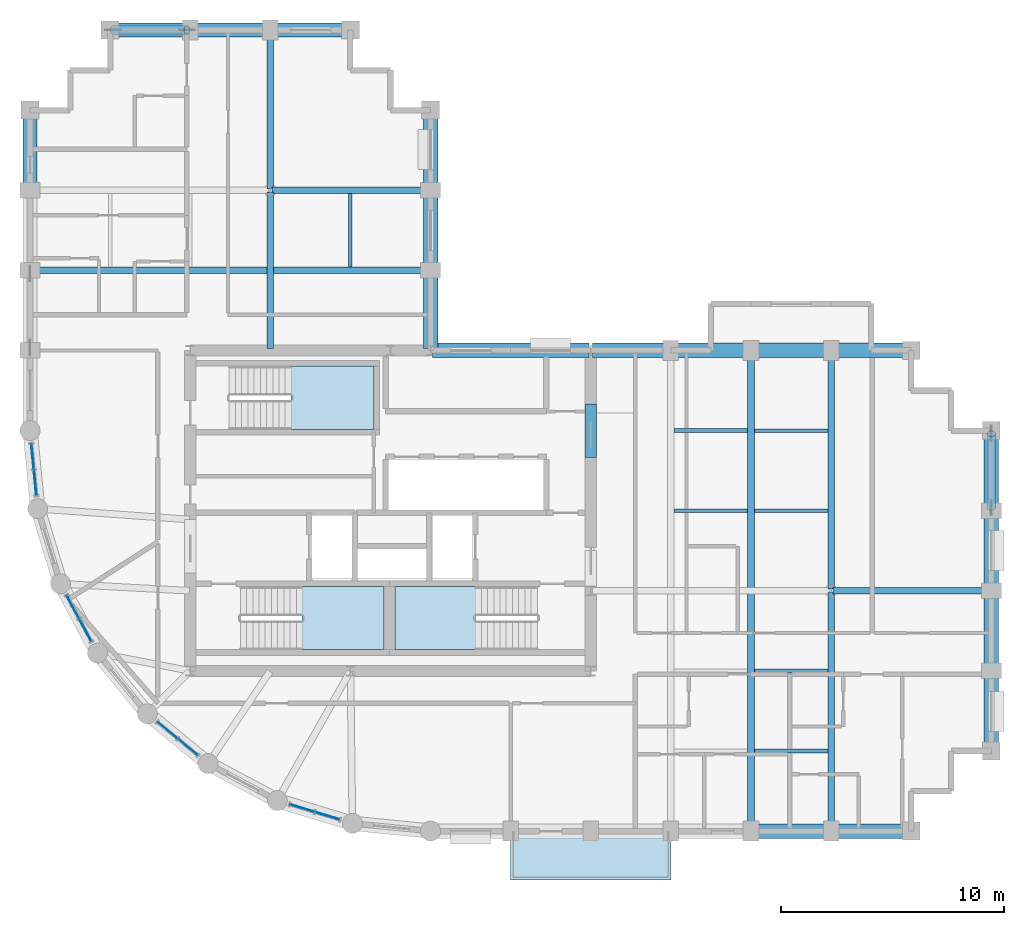
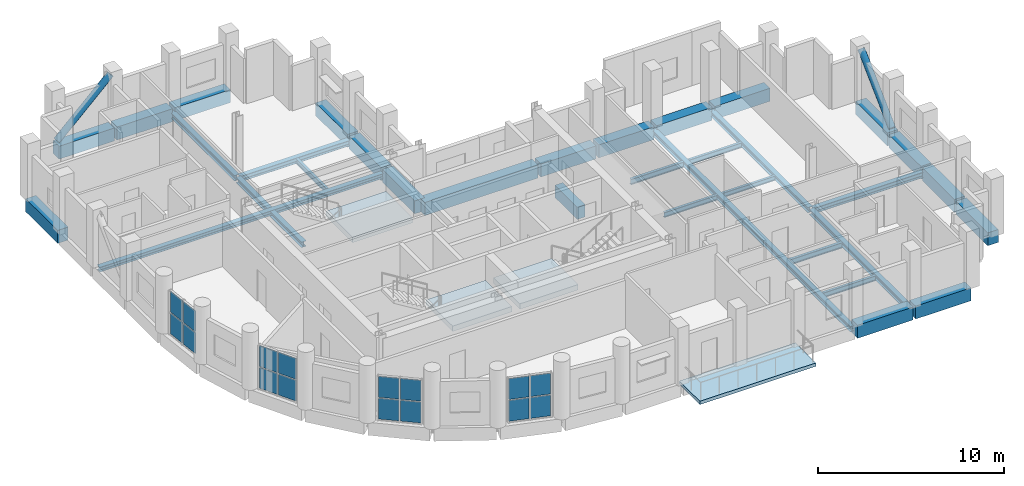
# One storey, part 5 of 12: 34 beams, 16 plates, 4 slabs, 2 members, 7 elements without a shape of their own.
"""IFC4 building model written with IfcOpenShell, lengths in metres."""

import ifcopenshell
import ifcopenshell.guid

model = None  # the IFC model being written
_history = None  # IfcOwnerHistory: only IFC2X3 demands one
_inside = {}  # id of a spatial element -> (the spatial element, [elements in it])
_under = {}  # id of a project, library or spatial element -> (it, [spatial elements below it])
_declared = {}  # id of a project -> (the project, [libraries it declares])
_typed = {}  # id of a type object -> (the type object, [elements of that type])
_made_of = {}  # id of a material, layer set ... -> (it, [elements and type objects made of it])


def new_model(schema):
    """Start an empty IFC model of exactly this schema.

    Asked for "IFC4X3", IfcOpenShell would pick the latest addendum, in which some entities
    have other attributes; the version numbers below select the first issue.
    IFC2X3 requires an IfcOwnerHistory on every rooted entity: one is made here for all.
    """
    global model, _history
    if schema == "IFC4X3":
        model = ifcopenshell.file(schema_version=(4, 3, 0, 0))
    else:
        model = ifcopenshell.file(schema=schema)
    _inside.clear()
    _under.clear()
    _declared.clear()
    _typed.clear()
    _made_of.clear()
    _history = None
    if model.schema == "IFC2X3":
        org = make("IfcOrganization", Name="unknown")
        user = make(
            "IfcPersonAndOrganization",
            ThePerson=make("IfcPerson", FamilyName="unknown"),
            TheOrganization=org,
        )
        app = make(
            "IfcApplication",
            ApplicationDeveloper=org,
            Version="unknown",
            ApplicationFullName="unknown",
            ApplicationIdentifier="unknown",
        )
        _history = make(
            "IfcOwnerHistory",
            OwningUser=user,
            OwningApplication=app,
            ChangeAction="ADDED",
            CreationDate=0,
        )
    return model


def make(cls, **values):
    """One entity of the class cls with the attributes given. An attribute that is None is left unset."""
    return model.create_entity(
        cls, **{name: value for name, value in values.items() if value is not None}
    )


def rooted(cls, **values):
    """An entity with a GlobalId (a new one), such as an element, a storey or a relation."""
    return make(cls, GlobalId=ifcopenshell.guid.new(), OwnerHistory=_history, **values)


def si_unit(unit_type, name, prefix=None):
    """IfcSIUnit, for example si_unit("LENGTHUNIT", "METRE", prefix="MILLI")."""
    return make("IfcSIUnit", UnitType=unit_type, Prefix=prefix, Name=name)


def assignment(units):
    """IfcUnitAssignment: the units of a project."""
    return None if units is None else make("IfcUnitAssignment", Units=units)


def point(xyz):
    """IfcCartesianPoint."""
    return None if xyz is None else make("IfcCartesianPoint", Coordinates=xyz)


def direction(xyz):
    """IfcDirection."""
    return None if xyz is None else make("IfcDirection", DirectionRatios=xyz)


def frame(location, z_axis=None, x_axis=None):
    """IfcAxis2Placement3D, a coordinate frame: its origin and axes. An axis left out is left unset."""
    return make(
        "IfcAxis2Placement3D",
        Location=point(location),
        Axis=direction(z_axis),
        RefDirection=direction(x_axis),
    )


def frame_2d(location, x_axis=None):
    """IfcAxis2Placement2D, a coordinate frame in the plane: its origin and x axis."""
    return make(
        "IfcAxis2Placement2D", Location=point(location), RefDirection=direction(x_axis)
    )


def origin():
    """The frame at (0, 0, 0) with its axes left unset."""
    return frame((0.0, 0.0, 0.0))


def origin_2d():
    """The frame at (0, 0) in the plane with its x axis left unset."""
    return frame_2d((0.0, 0.0))


def place(relative_to, where):
    """IfcLocalPlacement: puts the frame where relative to a parent placement (None: the world)."""
    return make(
        "IfcLocalPlacement", PlacementRelTo=relative_to, RelativePlacement=where
    )


def context(
    kind, dimensions, precision=None, world=None, true_north=None, identifier=None
):
    """IfcGeometricRepresentationContext, for example the 3D "Model" context."""
    return make(
        "IfcGeometricRepresentationContext",
        ContextIdentifier=identifier,
        ContextType=kind,
        CoordinateSpaceDimension=dimensions,
        Precision=precision,
        WorldCoordinateSystem=world,
        TrueNorth=true_north,
    )


def subcontext(parent, identifier, kind, view, scale=None):
    """IfcGeometricRepresentationSubContext, for example "Body" below "Model"."""
    return make(
        "IfcGeometricRepresentationSubContext",
        ContextIdentifier=identifier,
        ContextType=kind,
        ParentContext=parent,
        TargetScale=scale,
        TargetView=view,
    )


def project(units=None, contexts=None):
    """IfcProject with its units and contexts."""
    return rooted(
        "IfcProject",
        Name="project",
        RepresentationContexts=contexts,
        UnitsInContext=assignment(units),
    )


def spatial(cls, under=None, at=None, **own):
    """A site, building, storey or space (cls), placed at a placement, below another one or the project."""
    s = rooted(cls, ObjectPlacement=at, **own)
    if under is not None:
        _under.setdefault(under.id(), (under, []))[1].append(s)
    return s


def polyline(points):
    """IfcPolyline through the points."""
    return make("IfcPolyline", Points=[point(p) for p in points])


def profile(cls, at=None, kind="AREA", **sizes):
    """A parametric profile (cls). Its sizes go by their IFC names, for example OverallWidth=200.0."""
    return make(cls, ProfileType=kind, Position=at, **sizes)


def rectangle(**sizes):
    """IfcRectangleProfileDef."""
    return profile("IfcRectangleProfileDef", **sizes)


def hollow_circle(**sizes):
    """IfcCircleHollowProfileDef."""
    return profile("IfcCircleHollowProfileDef", **sizes)


def i_section(**sizes):
    """IfcIShapeProfileDef."""
    return profile("IfcIShapeProfileDef", **sizes)


def outline(outer, holes=None, kind="AREA"):
    """IfcArbitraryClosedProfileDef: a profile drawn as a closed curve; with holes, ...WithVoids."""
    if holes is None:
        return make("IfcArbitraryClosedProfileDef", ProfileType=kind, OuterCurve=outer)
    return make(
        "IfcArbitraryProfileDefWithVoids",
        ProfileType=kind,
        OuterCurve=outer,
        InnerCurves=holes,
    )


def extrude(swept, where, along, depth):
    """IfcExtrudedAreaSolid: the profile swept, set in the frame where, extruded along a direction by depth."""
    return make(
        "IfcExtrudedAreaSolid",
        SweptArea=swept,
        Position=where,
        ExtrudedDirection=direction(along),
        Depth=depth,
    )


def shape(context_of_items, identifier, shape_type, items):
    """IfcShapeRepresentation: the items that make up one representation, for example the "Body"."""
    return make(
        "IfcShapeRepresentation",
        ContextOfItems=context_of_items,
        RepresentationIdentifier=identifier,
        RepresentationType=shape_type,
        Items=items,
    )


def material(Name=None, Category=None):
    """IfcMaterial."""
    return make("IfcMaterial", Name=Name, Category=Category)


def layer(
    of_material, thickness, ventilated=None, Name=None, Category=None, Priority=None
):
    """IfcMaterialLayer: one layer of a wall or slab, of a material (None: an air gap)."""
    return make(
        "IfcMaterialLayer",
        Material=of_material,
        LayerThickness=thickness,
        IsVentilated=ventilated,
        Name=Name,
        Category=Category,
        Priority=Priority,
    )


def layer_set(layers, Name=None):
    """IfcMaterialLayerSet."""
    return make("IfcMaterialLayerSet", MaterialLayers=layers, LayerSetName=Name)


def material_profile(
    of_material, cross_section, Name=None, Category=None, Priority=None
):
    """IfcMaterialProfile: a cross section and its material."""
    return make(
        "IfcMaterialProfile",
        Name=Name,
        Material=of_material,
        Profile=cross_section,
        Priority=Priority,
        Category=Category,
    )


def profile_set(profiles, Name=None, composite=None):
    """IfcMaterialProfileSet."""
    return make(
        "IfcMaterialProfileSet",
        Name=Name,
        MaterialProfiles=profiles,
        CompositeProfile=composite,
    )


def made_of(thing, what):
    """Note that an element or type object is made of a material, layer set ...; save() writes the relation."""
    if what is not None:
        _made_of.setdefault(what.id(), (what, []))[1].append(thing)
    return thing


def type_object(cls, material=None, **own):
    """A type object (cls), such as IfcWallType, which elements share."""
    return made_of(rooted(cls, **own), material)


def element(
    cls,
    number,
    at=None,
    inside=None,
    cuts=None,
    type_object=None,
    material=None,
    context=None,
    identifier="Body",
    shape_type=None,
    held_by="IfcProductDefinitionShape",
    body=None,
    shapes=None,
    **own,
):
    """One element of the class cls, such as IfcWall. Its Tag is "e" and its number.

    at: its placement. inside: the storey or other place that contains it. cuts: it is an
    opening in that element (IfcRelVoidsElement). A single representation is given by context,
    identifier, shape_type and body (its items); several are given by shapes. held_by: the class
    of the entity that holds the representations. save() writes the other relations.
    """
    e = rooted(cls, Tag="e%d" % number, ObjectPlacement=at, **own)
    if body is not None:
        shapes = [shape(context, identifier, shape_type, body)]
    if shapes is not None:
        e.Representation = make(held_by, Representations=shapes)
    if inside is not None:
        _inside.setdefault(inside.id(), (inside, []))[1].append(e)
    if cuts is not None:
        rooted(
            "IfcRelVoidsElement", RelatingBuildingElement=cuts, RelatedOpeningElement=e
        )
    if type_object is not None:
        _typed.setdefault(type_object.id(), (type_object, []))[1].append(e)
    return made_of(e, material)


def aggregate(whole, parts):
    """IfcRelAggregates: a whole, such as a stair, and the parts it consists of."""
    return rooted("IfcRelAggregates", RelatingObject=whole, RelatedObjects=parts)


def save(model, path):
    """Write the relations noted so far, then the file.

    IfcRelAggregates (storeys below a building ...), IfcRelContainedInSpatialStructure (elements
    in a storey), IfcRelDefinesByType, IfcRelAssociatesMaterial and IfcRelDeclares: one each for
    every whole, place, type object, material and project.
    """
    for whole, parts in _under.values():
        aggregate(whole, parts)
    for where, things in _inside.values():
        rooted(
            "IfcRelContainedInSpatialStructure",
            RelatedElements=things,
            RelatingStructure=where,
        )
    for kind, things in _typed.values():
        rooted("IfcRelDefinesByType", RelatedObjects=things, RelatingType=kind)
    for what, things in _made_of.values():
        rooted("IfcRelAssociatesMaterial", RelatedObjects=things, RelatingMaterial=what)
    for by, libraries in _declared.values():
        rooted("IfcRelDeclares", RelatingContext=by, RelatedDefinitions=libraries)
    model.write(path)


model = new_model("IFC4")

# Units and contexts
model_context = context("Model", 3, precision=1e-05, world=origin(), true_north=direction((0.0, 1.0)))
body_context = subcontext(model_context, "Body", "Model", "MODEL_VIEW")
ifc_project = project(units=[si_unit("LENGTHUNIT", "METRE"), si_unit("AREAUNIT", "SQUARE_METRE"), si_unit("VOLUMEUNIT", "CUBIC_METRE"), si_unit("PLANEANGLEUNIT", "RADIAN"), si_unit("MASSUNIT", "GRAM", prefix="KILO")], contexts=[model_context])

# Site, building, storey
site_placement = place(None, origin())
site = spatial("IfcSite", under=ifc_project, at=site_placement, CompositionType="ELEMENT")
building_placement = place(site_placement, origin())
building = spatial("IfcBuilding", under=site, at=building_placement, Name="Solnavia Interchange Tower", CompositionType="ELEMENT")
storey_placement = place(building_placement, frame((0.0, 0.0, 182.39990234375)))
storey = spatial("IfcBuildingStorey", under=building, at=storey_placement, Name="L45", CompositionType="ELEMENT", Elevation=182.39990234375)

# Beams
ifc_material_1 = material(Name="Concrete C50/60", Category="concrete")
ifc_material_profile_1 = material_profile(ifc_material_1, rectangle(XDim=0.5, YDim=0.800048828125, at=origin_2d()), Name="RC 500x800")
ifc_profile_set_1 = profile_set([ifc_material_profile_1], Name="Concrete C50/60")
beam_type_1 = type_object("IfcBeamType", Name="Beam-Coupling-RC500x800", PredefinedType="LINTEL", material=ifc_profile_set_1)
beam_1_placement = place(storey_placement, frame((32.39990234375, 20.39990234375, -0.39990234375), z_axis=(0.0, 1.0, 0.0), x_axis=(-1.0, 0.0, 0.0)))
element("IfcBeam", 1, at=beam_1_placement, inside=storey, type_object=beam_type_1, Name="CPB-L45-E2 Core coupling lintel beam", PredefinedType="LINTEL", context=body_context, shape_type="SweptSolid", body=[
    extrude(rectangle(XDim=0.5, YDim=0.800048828125, at=origin_2d()), origin(), (0.0, 0.0, 1.0), 2.400146484375),
])
ifc_material_2 = material(Name="Steel S460", Category="steel")
ifc_material_profile_2 = material_profile(ifc_material_2, i_section(OverallWidth=0.300048828125, OverallDepth=0.360107421875, WebThickness=0.012451171875, FlangeThickness=0.0224609375, FilletRadius=0.027099609375, at=origin_2d()), Name="HEB 360")
ifc_profile_set_2 = profile_set([ifc_material_profile_2], Name="Steel S460")
beam_type_2 = type_object("IfcBeamType", Name="Beam-Girder-HEB360", PredefinedType="BEAM", material=ifc_profile_set_2)
beam_2_placement = place(storey_placement, frame((43.280029296875, 14.39990234375, -0.429931640625), z_axis=(1.0, 0.0, 0.0), x_axis=(0.0, 1.0, 0.0)))
element("IfcBeam", 2, at=beam_2_placement, inside=storey, type_object=beam_type_2, Name="GRD-L45-ES02 East wing spine girder", PredefinedType="BEAM", context=body_context, shape_type="SweptSolid", body=[
    extrude(i_section(OverallWidth=0.300048828125, OverallDepth=0.360107421875, WebThickness=0.012451171875, FlangeThickness=0.0224609375, FilletRadius=0.027099609375, at=origin_2d()), origin(), (0.0, 0.0, 1.0), 7.0400390625),
])
beam_3_placement = place(storey_placement, frame((39.60009765625, 3.679931640625, -0.429931640625), z_axis=(0.0, 1.0, 0.0), x_axis=(-1.0, 0.0, 0.0)))
element("IfcBeam", 3, at=beam_3_placement, inside=storey, type_object=beam_type_2, Name="GRD-L45-EW04 East wing primary floor girder", PredefinedType="BEAM", context=body_context, shape_type="SweptSolid", body=[
    extrude(i_section(OverallWidth=0.300048828125, OverallDepth=0.360107421875, WebThickness=0.012451171875, FlangeThickness=0.0224609375, FilletRadius=0.027099609375, at=origin_2d()), origin(), (0.0, 0.0, 1.0), 21.440185546875),
])
for number, where, z_axis, x_axis, name in (
    (4, (18.0, 25.280029296875, -0.429931640625), (0.0, 1.0, 0.0), (-1.0, 0.0, 0.0), "GRD-L45-NS07 North wing spine girder"),
    (5, (18.0, 32.47998046875, -0.429931640625), (0.0, 1.0, 0.0), (-1.0, 0.0, 0.0), "GRD-L45-NS08 North wing spine girder"),
    (6, (18.080078125, 32.39990234375, -0.429931640625), (1.0, 0.0, 0.0), (0.0, 1.0, 0.0), "GRD-L45-NW11 North wing primary floor girder"),
):
    element("IfcBeam", number, at=place(storey_placement, frame(where, z_axis=z_axis, x_axis=x_axis)), inside=storey, type_object=beam_type_2, Name=name, PredefinedType="BEAM", context=body_context, shape_type="SweptSolid", body=[
        extrude(i_section(OverallWidth=0.300048828125, OverallDepth=0.360107421875, WebThickness=0.012451171875, FlangeThickness=0.0224609375, FilletRadius=0.027099609375, at=origin_2d()), origin(), (0.0, 0.0, 1.0), 7.0400390625),
    ])
ifc_material_3 = material(Name="Steel S355", Category="steel")
ifc_material_profile_3 = material_profile(ifc_material_3, i_section(OverallWidth=0.14990234375, OverallDepth=0.300048828125, WebThickness=0.007080078125, FlangeThickness=0.0107421875, FilletRadius=0.014892578125, at=origin_2d()), Name="IPE 300")
ifc_profile_set_3 = profile_set([ifc_material_profile_3], Name="Steel S355")
beam_type_3 = type_object("IfcBeamType", Name="Beam-Joist-IPE300", PredefinedType="JOIST", material=ifc_profile_set_3)
beam_4_placement = place(storey_placement, frame((39.75, 18.0, -0.39990234375), z_axis=(1.0, 0.0, 0.0), x_axis=(0.0, 1.0, 0.0)))
element("IfcBeam", 7, at=beam_4_placement, inside=storey, type_object=beam_type_3, Name="JST-L45-E06 East wing secondary joist", PredefinedType="JOIST", context=body_context, shape_type="SweptSolid", body=[
    extrude(i_section(OverallWidth=0.14990234375, OverallDepth=0.300048828125, WebThickness=0.007080078125, FlangeThickness=0.0107421875, FilletRadius=0.014892578125, at=origin_2d()), origin(), (0.0, 0.0, 1.0), 3.300048828125),
])
ifc_material_profile_4 = material_profile(ifc_material_3, i_section(OverallWidth=0.159912109375, OverallDepth=0.330078125, WebThickness=0.007568359375, FlangeThickness=0.011474609375, FilletRadius=0.01806640625, at=origin_2d()), Name="IPE 330")
ifc_profile_set_4 = profile_set([ifc_material_profile_4], Name="Steel S355")
beam_type_4 = type_object("IfcBeamType", Name="Beam-Joist-IPE330", PredefinedType="JOIST", material=ifc_profile_set_4)
for number, where, z_axis, x_axis, name in (
    (8, (39.75, 7.199951171875, -0.414794921875), (1.0, 0.0, 0.0), (0.0, 1.0, 0.0), "JST-L45-E02 East wing secondary joist"),
    (9, (36.14990234375, 18.0, -0.414794921875), (1.0, 0.0, 0.0), (0.0, 1.0, 0.0), "JST-L45-E05 East wing secondary joist"),
    (10, (39.75, 21.60009765625, -0.414794921875), (1.0, 0.0, 0.0), (0.0, 1.0, 0.0), "JST-L45-E08 East wing secondary joist"),
    (11, (21.60009765625, 28.949951171875, -0.414794921875), (0.0, 1.0, 0.0), (-1.0, 0.0, 0.0), "JST-L45-N11 North wing secondary joist"),
):
    element("IfcBeam", number, at=place(storey_placement, frame(where, z_axis=z_axis, x_axis=x_axis)), inside=storey, type_object=beam_type_4, Name=name, PredefinedType="JOIST", context=body_context, shape_type="SweptSolid", body=[
        extrude(i_section(OverallWidth=0.159912109375, OverallDepth=0.330078125, WebThickness=0.007568359375, FlangeThickness=0.011474609375, FilletRadius=0.01806640625, at=origin_2d()), origin(), (0.0, 0.0, 1.0), 3.300048828125),
    ])
ifc_material_profile_5 = material_profile(ifc_material_3, i_section(OverallWidth=0.169921875, OverallDepth=0.360107421875, WebThickness=0.008056640625, FlangeThickness=0.0126953125, FilletRadius=0.01806640625, at=origin_2d()), Name="IPE 360")
ifc_profile_set_5 = profile_set([ifc_material_profile_5], Name="Steel S355")
beam_type_5 = type_object("IfcBeamType", Name="Beam-Joist-IPE360", PredefinedType="JOIST", material=ifc_profile_set_5)
for number, where, z_axis, x_axis, name in (
    (12, (39.75, 10.800048828125, -0.429931640625), (1.0, 0.0, 0.0), (0.0, 1.0, 0.0), "JST-L45-E04 East wing secondary joist"),
    (13, (36.14990234375, 21.60009765625, -0.429931640625), (1.0, 0.0, 0.0), (0.0, 1.0, 0.0), "JST-L45-E07 East wing secondary joist"),
):
    element("IfcBeam", number, at=place(storey_placement, frame(where, z_axis=z_axis, x_axis=x_axis)), inside=storey, type_object=beam_type_5, Name=name, PredefinedType="JOIST", context=body_context, shape_type="SweptSolid", body=[
        extrude(i_section(OverallWidth=0.169921875, OverallDepth=0.360107421875, WebThickness=0.008056640625, FlangeThickness=0.0126953125, FilletRadius=0.01806640625, at=origin_2d()), origin(), (0.0, 0.0, 1.0), 3.300048828125),
    ])
ifc_material_profile_6 = material_profile(ifc_material_3, i_section(OverallWidth=0.300048828125, OverallDepth=0.31005859375, WebThickness=0.009033203125, FlangeThickness=0.015380859375, FilletRadius=0.027099609375, at=origin_2d()), Name="HEA 320")
ifc_profile_set_6 = profile_set([ifc_material_profile_6], Name="Steel S355")
beam_type_6 = type_object("IfcBeamType", Name="Beam-Primary-HEA320", PredefinedType="BEAM", material=ifc_profile_set_6)
beam_5_placement = place(storey_placement, frame((7.280029296875, 28.800048828125, -0.40478515625), z_axis=(1.0, 0.0, 0.0), x_axis=(0.0, 1.0, 0.0)))
element("IfcBeam", 14, at=beam_5_placement, inside=storey, type_object=beam_type_6, Name="GRD-L45-NW09 North wing primary floor girder", PredefinedType="BEAM", context=body_context, shape_type="SweptSolid", body=[
    extrude(i_section(OverallWidth=0.300048828125, OverallDepth=0.31005859375, WebThickness=0.009033203125, FlangeThickness=0.015380859375, FilletRadius=0.027099609375, at=origin_2d()), origin(), (0.0, 0.0, 1.0), 17.840087890625),
])
ifc_material_profile_7 = material_profile(ifc_material_3, i_section(OverallWidth=0.300048828125, OverallDepth=0.35009765625, WebThickness=0.010009765625, FlangeThickness=0.017578125, FilletRadius=0.027099609375, at=origin_2d()), Name="HEA 360")
ifc_profile_set_7 = profile_set([ifc_material_profile_7], Name="Steel S355")
beam_type_7 = type_object("IfcBeamType", Name="Beam-Primary-HEA360", PredefinedType="BEAM", material=ifc_profile_set_7)
for number, where, z_axis, x_axis, name in (
    (15, (43.199951171875, 3.679931640625, -0.4248046875), (0.0, 1.0, 0.0), (-1.0, 0.0, 0.0), "GRD-L45-EW05 East wing primary floor girder"),
    (16, (43.199951171875, 14.47998046875, -0.4248046875), (0.0, 1.0, 0.0), (-1.0, 0.0, 0.0), "GRD-L45-EW06 East wing primary floor girder"),
):
    element("IfcBeam", number, at=place(storey_placement, frame(where, z_axis=z_axis, x_axis=x_axis)), inside=storey, type_object=beam_type_7, Name=name, PredefinedType="BEAM", context=body_context, shape_type="SweptSolid", body=[
        extrude(i_section(OverallWidth=0.300048828125, OverallDepth=0.35009765625, WebThickness=0.010009765625, FlangeThickness=0.017578125, FilletRadius=0.027099609375, at=origin_2d()), origin(), (0.0, 0.0, 1.0), 10.64013671875),
    ])
ifc_material_profile_8 = material_profile(ifc_material_1, rectangle(XDim=0.64990234375, YDim=0.85009765625, at=origin_2d()), Name="RC 650x850")
ifc_profile_set_8 = profile_set([ifc_material_profile_8], Name="Concrete C50/60")
beam_type_8 = type_object("IfcBeamType", Name="Beam-Spandrel-RC650x850", PredefinedType="SPANDREL", material=ifc_profile_set_8)
beam_6_placement = place(storey_placement, frame((39.679931640625, 3.60009765625, -0.4248046875), z_axis=(1.0, 0.0, 0.0), x_axis=(0.0, 1.0, 0.0)))
element("IfcBeam", 17, at=beam_6_placement, inside=storey, type_object=beam_type_8, Name="SPB-L45-13 Framed-tube perimeter spandrel beam", PredefinedType="SPANDREL", context=body_context, shape_type="SweptSolid", body=[
    extrude(rectangle(XDim=0.64990234375, YDim=0.85009765625, at=origin_2d()), origin(), (0.0, 0.0, 1.0), 3.440185546875),
])
for number, where, z_axis, x_axis, name in (
    (18, (43.280029296875, 3.60009765625, -0.4248046875), (1.0, 0.0, 0.0), (0.0, 1.0, 0.0), "SPB-L45-14 Framed-tube perimeter spandrel beam"),
    (19, (50.39990234375, 7.280029296875, -0.4248046875), (0.0, 1.0, 0.0), (-1.0, 0.0, 0.0), "SPB-L45-15 Framed-tube perimeter spandrel beam"),
):
    element("IfcBeam", number, at=place(storey_placement, frame(where, z_axis=z_axis, x_axis=x_axis)), inside=storey, type_object=beam_type_8, Name=name, PredefinedType="SPANDREL", context=body_context, shape_type="SweptSolid", body=[
        extrude(rectangle(XDim=0.64990234375, YDim=0.85009765625, at=origin_2d()), origin(), (0.0, 0.0, 1.0), 3.43994140625),
    ])
beam_7_placement = place(storey_placement, frame((50.39990234375, 10.8798828125, -0.4248046875), z_axis=(0.0, 1.0, 0.0), x_axis=(-1.0, 0.0, 0.0)))
element("IfcBeam", 20, at=beam_7_placement, inside=storey, type_object=beam_type_8, Name="SPB-L45-16 Framed-tube perimeter spandrel beam", PredefinedType="SPANDREL", context=body_context, shape_type="SweptSolid", body=[
    extrude(rectangle(XDim=0.64990234375, YDim=0.85009765625, at=origin_2d()), origin(), (0.0, 0.0, 1.0), 3.440185546875),
])
for number, where, z_axis, x_axis, name in (
    (21, (50.39990234375, 14.47998046875, -0.4248046875), (0.0, 1.0, 0.0), (-1.0, 0.0, 0.0), "SPB-L45-17 Framed-tube perimeter spandrel beam"),
    (22, (50.39990234375, 18.080078125, -0.4248046875), (0.0, 1.0, 0.0), (-1.0, 0.0, 0.0), "SPB-L45-18 Framed-tube perimeter spandrel beam"),
    (23, (46.719970703125, 25.199951171875, -0.4248046875), (-1.0, 0.0, 0.0), (0.0, -1.0, 0.0), "SPB-L45-19 Framed-tube perimeter spandrel beam"),
):
    element("IfcBeam", number, at=place(storey_placement, frame(where, z_axis=z_axis, x_axis=x_axis)), inside=storey, type_object=beam_type_8, Name=name, PredefinedType="SPANDREL", context=body_context, shape_type="SweptSolid", body=[
        extrude(rectangle(XDim=0.64990234375, YDim=0.85009765625, at=origin_2d()), origin(), (0.0, 0.0, 1.0), 3.43994140625),
    ])
beam_8_placement = place(storey_placement, frame((43.1201171875, 25.199951171875, -0.4248046875), z_axis=(-1.0, 0.0, 0.0), x_axis=(0.0, -1.0, 0.0)))
element("IfcBeam", 24, at=beam_8_placement, inside=storey, type_object=beam_type_8, Name="SPB-L45-20 Framed-tube perimeter spandrel beam", PredefinedType="SPANDREL", context=body_context, shape_type="SweptSolid", body=[
    extrude(rectangle(XDim=0.64990234375, YDim=0.85009765625, at=origin_2d()), origin(), (0.0, 0.0, 1.0), 3.440185546875),
])
for number, where, z_axis, x_axis, name in (
    (25, (39.52001953125, 25.199951171875, -0.4248046875), (-1.0, 0.0, 0.0), (0.0, -1.0, 0.0), "SPB-L45-21 Framed-tube perimeter spandrel beam"),
    (26, (35.919921875, 25.199951171875, -0.4248046875), (-1.0, 0.0, 0.0), (0.0, -1.0, 0.0), "SPB-L45-22 Framed-tube perimeter spandrel beam"),
):
    element("IfcBeam", number, at=place(storey_placement, frame(where, z_axis=z_axis, x_axis=x_axis)), inside=storey, type_object=beam_type_8, Name=name, PredefinedType="SPANDREL", context=body_context, shape_type="SweptSolid", body=[
        extrude(rectangle(XDim=0.64990234375, YDim=0.85009765625, at=origin_2d()), origin(), (0.0, 0.0, 1.0), 3.43994140625),
    ])
beam_9_placement = place(storey_placement, frame((32.320068359375, 25.199951171875, -0.4248046875), z_axis=(-1.0, 0.0, 0.0), x_axis=(0.0, -1.0, 0.0)))
element("IfcBeam", 27, at=beam_9_placement, inside=storey, type_object=beam_type_8, Name="SPB-L45-23 Framed-tube perimeter spandrel beam", PredefinedType="SPANDREL", context=body_context, shape_type="SweptSolid", body=[
    extrude(rectangle(XDim=0.64990234375, YDim=0.85009765625, at=origin_2d()), origin(), (0.0, 0.0, 1.0), 7.0400390625),
])
beam_10_placement = place(storey_placement, frame((25.199951171875, 25.280029296875, -0.4248046875), z_axis=(0.0, 1.0, 0.0), x_axis=(-1.0, 0.0, 0.0)))
element("IfcBeam", 28, at=beam_10_placement, inside=storey, type_object=beam_type_8, Name="SPB-L45-24 Framed-tube perimeter spandrel beam", PredefinedType="SPANDREL", context=body_context, shape_type="SweptSolid", body=[
    extrude(rectangle(XDim=0.64990234375, YDim=0.85009765625, at=origin_2d()), origin(), (0.0, 0.0, 1.0), 3.43994140625),
])
beam_11_placement = place(storey_placement, frame((25.199951171875, 28.8798828125, -0.4248046875), z_axis=(0.0, 1.0, 0.0), x_axis=(-1.0, 0.0, 0.0)))
element("IfcBeam", 29, at=beam_11_placement, inside=storey, type_object=beam_type_8, Name="SPB-L45-25 Framed-tube perimeter spandrel beam", PredefinedType="SPANDREL", context=body_context, shape_type="SweptSolid", body=[
    extrude(rectangle(XDim=0.64990234375, YDim=0.85009765625, at=origin_2d()), origin(), (0.0, 0.0, 1.0), 3.440185546875),
])
for number, where, z_axis, x_axis, name in (
    (30, (25.199951171875, 32.47998046875, -0.4248046875), (0.0, 1.0, 0.0), (-1.0, 0.0, 0.0), "SPB-L45-26 Framed-tube perimeter spandrel beam"),
    (31, (21.52001953125, 39.60009765625, -0.4248046875), (-1.0, 0.0, 0.0), (0.0, -1.0, 0.0), "SPB-L45-27 Framed-tube perimeter spandrel beam"),
    (32, (17.919921875, 39.60009765625, -0.4248046875), (-1.0, 0.0, 0.0), (0.0, -1.0, 0.0), "SPB-L45-28 Framed-tube perimeter spandrel beam"),
):
    element("IfcBeam", number, at=place(storey_placement, frame(where, z_axis=z_axis, x_axis=x_axis)), inside=storey, type_object=beam_type_8, Name=name, PredefinedType="SPANDREL", context=body_context, shape_type="SweptSolid", body=[
        extrude(rectangle(XDim=0.64990234375, YDim=0.85009765625, at=origin_2d()), origin(), (0.0, 0.0, 1.0), 3.43994140625),
    ])
beam_12_placement = place(storey_placement, frame((14.320068359375, 39.60009765625, -0.4248046875), z_axis=(-1.0, 0.0, 0.0), x_axis=(0.0, -1.0, 0.0)))
element("IfcBeam", 33, at=beam_12_placement, inside=storey, type_object=beam_type_8, Name="SPB-L45-29 Framed-tube perimeter spandrel beam", PredefinedType="SPANDREL", context=body_context, shape_type="SweptSolid", body=[
    extrude(rectangle(XDim=0.64990234375, YDim=0.85009765625, at=origin_2d()), origin(), (0.0, 0.0, 1.0), 3.440185546875),
])
beam_13_placement = place(storey_placement, frame((7.199951171875, 35.919921875, -0.4248046875), z_axis=(0.0, -1.0, 0.0), x_axis=(1.0, 0.0, 0.0)))
element("IfcBeam", 34, at=beam_13_placement, inside=storey, type_object=beam_type_8, Name="SPB-L45-30 Framed-tube perimeter spandrel beam", PredefinedType="SPANDREL", context=body_context, shape_type="SweptSolid", body=[
    extrude(rectangle(XDim=0.64990234375, YDim=0.85009765625, at=origin_2d()), origin(), (0.0, 0.0, 1.0), 3.43994140625),
])

# Members
ifc_material_profile_9 = material_profile(ifc_material_2, hollow_circle(Radius=0.203125, WallThickness=0.02001953125, at=origin_2d()), Name="CHS 406.4x20")
ifc_profile_set_9 = profile_set([ifc_material_profile_9], Name="Steel S460")
member_type = type_object("IfcMemberType", Name="Brace-Perim-CHS406", PredefinedType="BRACE", material=ifc_profile_set_9)
for number, where, z_axis, x_axis, name in (
    (35, (50.39990234375, 18.139892578125, 0.18017578125), (0.0, 0.721096918576, 0.692834203847), (-1.0, 0.0, 0.0), "BRC-L45-02 Perimeter tube diagonal brace"),
    (36, (10.93994140625, 39.60009765625, 0.18017578125), (0.721096918576, 0.0, 0.692834203847), (0.0, 1.0, 0.0), "BRC-L45-03 Perimeter tube diagonal brace"),
):
    element("IfcMember", number, at=place(storey_placement, frame(where, z_axis=z_axis, x_axis=x_axis)), inside=storey, type_object=member_type, Name=name, PredefinedType="BRACE", context=body_context, shape_type="SweptSolid", body=[
        extrude(hollow_circle(Radius=0.203125, WallThickness=0.02001953125, at=origin_2d()), origin(), (0.0, 0.0, 1.0), 4.604248046875),
    ])

# Curtain wall, plates
ifc_material_4 = material(Name="Aluminium Alloy 6063-T6", Category="aluminium")
ifc_layer_1 = layer(ifc_material_4, 0.239990234375)
ifc_layer_set_1 = layer_set([ifc_layer_1], Name="Aluminium Alloy 6063-T6")
curtain_wall_type = type_object("IfcCurtainWallType", Name="CurtainWall-Drum-CTW2", PredefinedType="NOTDEFINED", material=ifc_layer_set_1)
curtain_wall_1_placement = place(storey_placement, origin())
curtain_wall_1 = element("IfcCurtainWall", 37, at=curtain_wall_1_placement, inside=storey, type_object=curtain_wall_type, Name="CTW-L45-D47 CTW-2 curtain wall", PredefinedType="NOTDEFINED")
ifc_material_5 = material(Name="Double-Glazed Low-E IGU Glass", Category="glass")
ifc_layer_2 = layer(ifc_material_5, 0.031982421875)
ifc_layer_set_2 = layer_set([ifc_layer_2], Name="Double-Glazed Low-E IGU Glass")
plate_type = type_object("IfcPlateType", Name="CW-Panel-Solar-32", PredefinedType="CURTAIN_PANEL", material=ifc_layer_set_2)
plate_1_placement = place(storey_placement, frame((7.314697265625, 20.435791015625, 0.06494140625), z_axis=(0.0, 0.0, 1.0), x_axis=(0.098043088306, -0.995182170678, 0.0)))
plate_1 = element("IfcPlate", 38, at=plate_1_placement, type_object=plate_type, Name="CTW-2 panel 1.1", PredefinedType="CURTAIN_PANEL", context=body_context, shape_type="SweptSolid", body=[
    extrude(rectangle(XDim=1.114501953125, YDim=0.031982421875, at=origin_2d()), origin(), (0.0, 0.0, 1.0), 1.367431640625),
])
plate_2_placement = place(storey_placement, frame((7.314697265625, 20.435791015625, 1.49755859375), z_axis=(0.0, 0.0, 1.0), x_axis=(0.098043088306, -0.995182170678, 0.0)))
plate_2 = element("IfcPlate", 39, at=plate_2_placement, type_object=plate_type, Name="CTW-2 panel 1.2", PredefinedType="CURTAIN_PANEL", context=body_context, shape_type="SweptSolid", body=[
    extrude(rectangle(XDim=1.114501953125, YDim=0.031982421875, at=origin_2d()), origin(), (0.0, 0.0, 1.0), 1.367431640625),
])
plate_3_placement = place(storey_placement, frame((7.431396484375, 19.252197265625, 0.06494140625), z_axis=(0.0, 0.0, 1.0), x_axis=(0.098043088306, -0.995182170678, 0.0)))
plate_3 = element("IfcPlate", 40, at=plate_3_placement, type_object=plate_type, Name="CTW-2 panel 2.1", PredefinedType="CURTAIN_PANEL", context=body_context, shape_type="SweptSolid", body=[
    extrude(rectangle(XDim=1.114501953125, YDim=0.031982421875, at=origin_2d()), origin(), (0.0, 0.0, 1.0), 1.367431640625),
])
plate_4_placement = place(storey_placement, frame((7.431396484375, 19.252197265625, 1.49755859375), z_axis=(0.0, 0.0, 1.0), x_axis=(0.098043088306, -0.995182170678, 0.0)))
plate_4 = element("IfcPlate", 41, at=plate_4_placement, type_object=plate_type, Name="CTW-2 panel 2.2", PredefinedType="CURTAIN_PANEL", context=body_context, shape_type="SweptSolid", body=[
    extrude(rectangle(XDim=1.114501953125, YDim=0.031982421875, at=origin_2d()), origin(), (0.0, 0.0, 1.0), 1.367431640625),
])
aggregate(curtain_wall_1, [plate_1, plate_2, plate_3, plate_4])

curtain_wall_2_placement = place(storey_placement, origin())
curtain_wall_2 = element("IfcCurtainWall", 42, at=curtain_wall_2_placement, inside=storey, type_object=curtain_wall_type, Name="CTW-L45-D49 CTW-2 curtain wall", PredefinedType="NOTDEFINED")
plate_5_placement = place(storey_placement, frame((9.12158203125, 13.680419921875, 0.06494140625), z_axis=(0.0, 0.0, 1.0), x_axis=(0.471560876964, -0.881833509976, 0.0)))
plate_5 = element("IfcPlate", 43, at=plate_5_placement, type_object=plate_type, Name="CTW-2 panel 1.1", PredefinedType="CURTAIN_PANEL", context=body_context, shape_type="SweptSolid", body=[
    extrude(rectangle(XDim=1.114501953125, YDim=0.031982421875, at=origin_2d()), origin(), (0.0, 0.0, 1.0), 1.367431640625),
])
plate_6_placement = place(storey_placement, frame((9.12158203125, 13.680419921875, 1.49755859375), z_axis=(0.0, 0.0, 1.0), x_axis=(0.471560876964, -0.881833509976, 0.0)))
plate_6 = element("IfcPlate", 44, at=plate_6_placement, type_object=plate_type, Name="CTW-2 panel 1.2", PredefinedType="CURTAIN_PANEL", context=body_context, shape_type="SweptSolid", body=[
    extrude(rectangle(XDim=1.114501953125, YDim=0.031982421875, at=origin_2d()), origin(), (0.0, 0.0, 1.0), 1.367431640625),
])
plate_7_placement = place(storey_placement, frame((9.682373046875, 12.631591796875, 0.06494140625), z_axis=(0.0, 0.0, 1.0), x_axis=(0.471560876964, -0.881833509976, 0.0)))
plate_7 = element("IfcPlate", 45, at=plate_7_placement, type_object=plate_type, Name="CTW-2 panel 2.1", PredefinedType="CURTAIN_PANEL", context=body_context, shape_type="SweptSolid", body=[
    extrude(rectangle(XDim=1.114501953125, YDim=0.031982421875, at=origin_2d()), origin(), (0.0, 0.0, 1.0), 1.367431640625),
])
plate_8_placement = place(storey_placement, frame((9.682373046875, 12.631591796875, 1.49755859375), z_axis=(0.0, 0.0, 1.0), x_axis=(0.471560876964, -0.881833509976, 0.0)))
plate_8 = element("IfcPlate", 46, at=plate_8_placement, type_object=plate_type, Name="CTW-2 panel 2.2", PredefinedType="CURTAIN_PANEL", context=body_context, shape_type="SweptSolid", body=[
    extrude(rectangle(XDim=1.114501953125, YDim=0.031982421875, at=origin_2d()), origin(), (0.0, 0.0, 1.0), 1.367431640625),
])
aggregate(curtain_wall_2, [plate_5, plate_6, plate_7, plate_8])

curtain_wall_3_placement = place(storey_placement, origin())
curtain_wall_3 = element("IfcCurtainWall", 47, at=curtain_wall_3_placement, inside=storey, type_object=curtain_wall_type, Name="CTW-L45-D51 CTW-2 curtain wall", PredefinedType="NOTDEFINED")
plate_9_placement = place(storey_placement, frame((13.376220703125, 8.130126953125, 0.06494140625), z_axis=(0.0, 0.0, 1.0), x_axis=(0.773103093557, -0.634280384951, 0.0)))
plate_9 = element("IfcPlate", 48, at=plate_9_placement, type_object=plate_type, Name="CTW-2 panel 1.1", PredefinedType="CURTAIN_PANEL", context=body_context, shape_type="SweptSolid", body=[
    extrude(rectangle(XDim=1.1142578125, YDim=0.031982421875, at=origin_2d()), origin(), (0.0, 0.0, 1.0), 1.367431640625),
])
plate_10_placement = place(storey_placement, frame((13.376220703125, 8.130126953125, 1.49755859375), z_axis=(0.0, 0.0, 1.0), x_axis=(0.773103093557, -0.634280384951, 0.0)))
plate_10 = element("IfcPlate", 49, at=plate_10_placement, type_object=plate_type, Name="CTW-2 panel 1.2", PredefinedType="CURTAIN_PANEL", context=body_context, shape_type="SweptSolid", body=[
    extrude(rectangle(XDim=1.1142578125, YDim=0.031982421875, at=origin_2d()), origin(), (0.0, 0.0, 1.0), 1.367431640625),
])
plate_11_placement = place(storey_placement, frame((14.295654296875, 7.375732421875, 0.06494140625), z_axis=(0.0, 0.0, 1.0), x_axis=(0.773103093557, -0.634280384951, 0.0)))
plate_11 = element("IfcPlate", 50, at=plate_11_placement, type_object=plate_type, Name="CTW-2 panel 2.1", PredefinedType="CURTAIN_PANEL", context=body_context, shape_type="SweptSolid", body=[
    extrude(rectangle(XDim=1.1142578125, YDim=0.031982421875, at=origin_2d()), origin(), (0.0, 0.0, 1.0), 1.367431640625),
])
plate_12_placement = place(storey_placement, frame((14.295654296875, 7.375732421875, 1.49755859375), z_axis=(0.0, 0.0, 1.0), x_axis=(0.773103093557, -0.634280384951, 0.0)))
plate_12 = element("IfcPlate", 51, at=plate_12_placement, type_object=plate_type, Name="CTW-2 panel 2.2", PredefinedType="CURTAIN_PANEL", context=body_context, shape_type="SweptSolid", body=[
    extrude(rectangle(XDim=1.1142578125, YDim=0.031982421875, at=origin_2d()), origin(), (0.0, 0.0, 1.0), 1.367431640625),
])
aggregate(curtain_wall_3, [plate_9, plate_10, plate_11, plate_12])

curtain_wall_4_placement = place(storey_placement, origin())
curtain_wall_4 = element("IfcCurtainWall", 52, at=curtain_wall_4_placement, inside=storey, type_object=curtain_wall_type, Name="CTW-L45-D53 CTW-2 curtain wall", PredefinedType="NOTDEFINED")
plate_13_placement = place(storey_placement, frame((19.43115234375, 4.630615234375, 0.06494140625), z_axis=(0.0, 0.0, 1.0), x_axis=(0.956942072515, -0.290278951786, 0.0)))
plate_13 = element("IfcPlate", 53, at=plate_13_placement, type_object=plate_type, Name="CTW-2 panel 1.1", PredefinedType="CURTAIN_PANEL", context=body_context, shape_type="SweptSolid", body=[
    extrude(rectangle(XDim=1.114013671875, YDim=0.031982421875, at=origin_2d()), origin(), (0.0, 0.0, 1.0), 1.367431640625),
])
plate_14_placement = place(storey_placement, frame((19.43115234375, 4.630615234375, 1.49755859375), z_axis=(0.0, 0.0, 1.0), x_axis=(0.956942072515, -0.290278951786, 0.0)))
plate_14 = element("IfcPlate", 54, at=plate_14_placement, type_object=plate_type, Name="CTW-2 panel 1.2", PredefinedType="CURTAIN_PANEL", context=body_context, shape_type="SweptSolid", body=[
    extrude(rectangle(XDim=1.114013671875, YDim=0.031982421875, at=origin_2d()), origin(), (0.0, 0.0, 1.0), 1.367431640625),
])
plate_15_placement = place(storey_placement, frame((20.56884765625, 4.285400390625, 0.06494140625), z_axis=(0.0, 0.0, 1.0), x_axis=(0.956942072515, -0.290278951786, 0.0)))
plate_15 = element("IfcPlate", 55, at=plate_15_placement, type_object=plate_type, Name="CTW-2 panel 2.1", PredefinedType="CURTAIN_PANEL", context=body_context, shape_type="SweptSolid", body=[
    extrude(rectangle(XDim=1.114013671875, YDim=0.031982421875, at=origin_2d()), origin(), (0.0, 0.0, 1.0), 1.367431640625),
])
plate_16_placement = place(storey_placement, frame((20.56884765625, 4.285400390625, 1.49755859375), z_axis=(0.0, 0.0, 1.0), x_axis=(0.956942072515, -0.290278951786, 0.0)))
plate_16 = element("IfcPlate", 56, at=plate_16_placement, type_object=plate_type, Name="CTW-2 panel 2.2", PredefinedType="CURTAIN_PANEL", context=body_context, shape_type="SweptSolid", body=[
    extrude(rectangle(XDim=1.114013671875, YDim=0.031982421875, at=origin_2d()), origin(), (0.0, 0.0, 1.0), 1.367431640625),
])
aggregate(curtain_wall_4, [plate_13, plate_14, plate_15, plate_16])

# Stair, slab
ifc_material_6 = material(Name="Concrete C40/50", Category="concrete")
stair_type = type_object("IfcStairType", Name="Stair-Dogleg-RC", PredefinedType="HALF_TURN_STAIR", material=ifc_material_6)
stair_1_placement = place(storey_placement, origin())
stair_1 = element("IfcStair", 57, at=stair_1_placement, inside=storey, type_object=stair_type, Name="L45 Core exit stair 1", PredefinedType="HALF_TURN_STAIR")
ifc_layer_3 = layer(ifc_material_6, 0.35009765625)
ifc_layer_set_3 = layer_set([ifc_layer_3], Name="Concrete C40/50")
slab_type_1 = type_object("IfcSlabType", Name="Slab-StairLanding-350", PredefinedType="LANDING", material=ifc_layer_set_3)
slab_1_placement = place(storey_placement, frame((0.0, 0.0, 1.550048828125)))
slab_1 = element("IfcSlab", 58, at=slab_1_placement, type_object=slab_type_1, Name="ST-1 landing 1", PredefinedType="LANDING", context=body_context, shape_type="SweptSolid", body=[
    extrude(outline(polyline([(19.427978515625, 11.75), (23.10009765625, 11.75), (23.10009765625, 14.590087890625), (19.427978515625, 14.590087890625), (19.427978515625, 11.75)])), origin(), (0.0, 0.0, 1.0), 0.35009765625),
])
aggregate(stair_1, [slab_1])

stair_2_placement = place(storey_placement, origin())
stair_2 = element("IfcStair", 59, at=stair_2_placement, inside=storey, type_object=stair_type, Name="L45 Core exit stair 2", PredefinedType="HALF_TURN_STAIR")
slab_2_placement = place(storey_placement, frame((0.0, 0.0, 1.550048828125)))
slab_2 = element("IfcSlab", 60, at=slab_2_placement, type_object=slab_type_1, Name="ST-2 landing 1", PredefinedType="LANDING", context=body_context, shape_type="SweptSolid", body=[
    extrude(outline(polyline([(23.60009765625, 11.75), (27.221923828125, 11.75), (27.221923828125, 14.590087890625), (23.60009765625, 14.590087890625), (23.60009765625, 11.75)])), origin(), (0.0, 0.0, 1.0), 0.35009765625),
])
aggregate(stair_2, [slab_2])

stair_3_placement = place(storey_placement, origin())
stair_3 = element("IfcStair", 61, at=stair_3_placement, inside=storey, type_object=stair_type, Name="L45 Core exit stair 3", PredefinedType="HALF_TURN_STAIR")
slab_3_placement = place(storey_placement, frame((0.0, 0.0, 1.550048828125)))
slab_3 = element("IfcSlab", 62, at=slab_3_placement, type_object=slab_type_1, Name="ST-3 landing 1", PredefinedType="LANDING", context=body_context, shape_type="SweptSolid", body=[
    extrude(outline(polyline([(18.927978515625, 21.64990234375), (22.64990234375, 21.64990234375), (22.64990234375, 24.489990234375), (18.927978515625, 24.489990234375), (18.927978515625, 21.64990234375)])), origin(), (0.0, 0.0, 1.0), 0.35009765625),
])
aggregate(stair_3, [slab_3])

# Slab
ifc_layer_4 = layer(ifc_material_6, 0.219970703125)
ifc_layer_set_4 = layer_set([ifc_layer_4], Name="Concrete C40/50")
slab_type_2 = type_object("IfcSlabType", Name="Slab-Terrace-220", PredefinedType="FLOOR", material=ifc_layer_set_4)
slab_4_placement = place(storey_placement, frame((0.0, 0.0, -0.260009765625)))
element("IfcSlab", 63, at=slab_4_placement, inside=storey, type_object=slab_type_2, Name="TER-L45-01 Outdoor spiral terrace slab", PredefinedType="FLOOR", context=body_context, shape_type="SweptSolid", body=[
    extrude(outline(polyline([(28.800048828125, 1.39990234375), (36.0, 1.39990234375), (36.0, 3.60009765625), (28.800048828125, 3.60009765625), (28.800048828125, 1.39990234375)])), origin(), (0.0, 0.0, 1.0), 0.22021484375),
])

save(model, "model.ifc")
